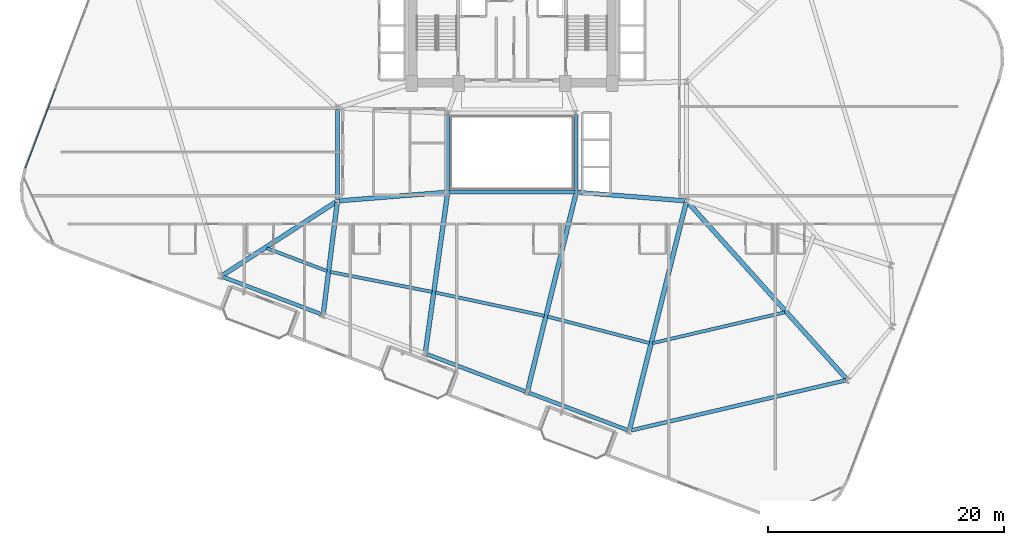
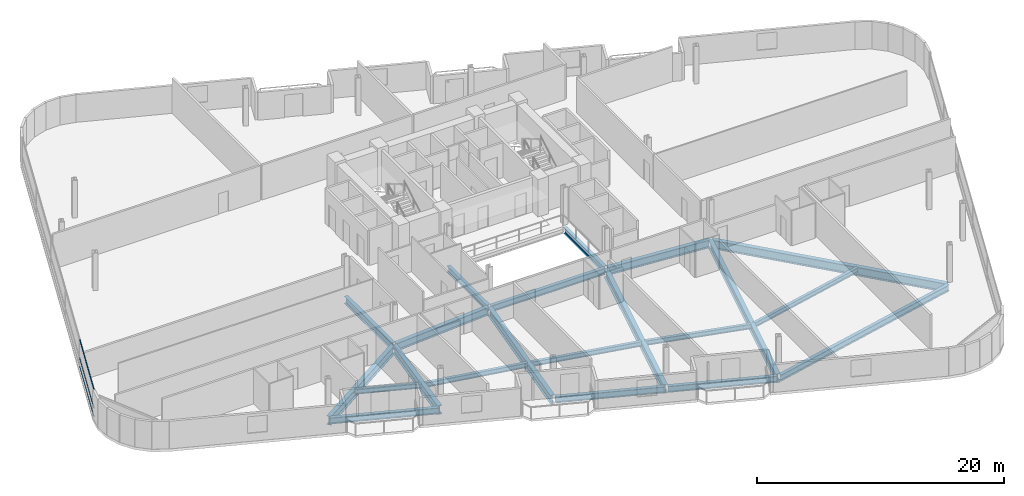
# One storey, part 3 of 25: 21 beams, 3 members, 1 element without a shape of its own.
"""IFC4 building model written with IfcOpenShell, lengths in metres."""

from ifc_helpers import new_model, si_unit, direction, frame, origin, origin_2d, place, context, subcontext, project, spatial, hollow_rectangle, i_section, extrude, material, layer, layer_set, material_profile, profile_set, type_object, element, aggregate, save


model = new_model("IFC4")

# Units and contexts
model_context = context("Model", 3, precision=1e-05, world=origin(), true_north=direction((0.0, 1.0)))
body_context = subcontext(model_context, "Body", "Model", "MODEL_VIEW")
ifc_project = project(units=[si_unit("LENGTHUNIT", "METRE"), si_unit("AREAUNIT", "SQUARE_METRE"), si_unit("VOLUMEUNIT", "CUBIC_METRE"), si_unit("PLANEANGLEUNIT", "RADIAN"), si_unit("MASSUNIT", "GRAM", prefix="KILO")], contexts=[model_context])

# Site, building, storey
site_placement = place(None, origin())
site = spatial("IfcSite", under=ifc_project, at=site_placement, CompositionType="ELEMENT")
building_placement = place(site_placement, origin())
building = spatial("IfcBuilding", under=site, at=building_placement, Name="Varnelok Gate Tower", CompositionType="ELEMENT")
storey_placement = place(building_placement, frame((0.0, 0.0, 76.199951171875)))
storey = spatial("IfcBuildingStorey", under=building, at=storey_placement, Name="L18", CompositionType="ELEMENT", Elevation=76.199951171875)

# Beams
ifc_material_1 = material(Name="Structural Steel ASTM A992 Grade 50", Category="steel")
ifc_material_profile_1 = material_profile(ifc_material_1, i_section(OverallWidth=0.280029296875, OverallDepth=0.462890625, WebThickness=0.0107421875, FlangeThickness=0.017333984375, FilletRadius=0.014892578125, at=origin_2d()), Name="W18X76")
ifc_profile_set_1 = profile_set([ifc_material_profile_1], Name="Structural Steel ASTM A992 Grade 50")
beam_type_1 = type_object("IfcBeamType", Name="BM-JST-W18X76", PredefinedType="JOIST", material=ifc_profile_set_1)
beam_1_placement = place(storey_placement, frame((18.41845703125, 14.79248046875, -0.4814453125), z_axis=(0.935220980755, -0.354064566365, 0.0), x_axis=(0.354064566365, 0.935220980755, 0.0)))
element("IfcBeam", 1, at=beam_1_placement, inside=storey, type_object=beam_type_1, Name="L18 Sector Floor Joist 1", PredefinedType="JOIST", context=body_context, shape_type="SweptSolid", body=[
    extrude(i_section(OverallWidth=0.280029296875, OverallDepth=0.462890625, WebThickness=0.0107421875, FlangeThickness=0.017333984375, FilletRadius=0.014892578125, at=origin_2d()), origin(), (0.0, 0.0, 1.0), 5.454833984375),
])
beam_2_placement = place(storey_placement, frame((23.788330078125, 12.78466796875, -0.4814453125), z_axis=(0.981373341714, -0.192110291692, 0.0), x_axis=(0.192110291692, 0.981373341714, 0.0)))
element("IfcBeam", 2, at=beam_2_placement, inside=storey, type_object=beam_type_1, Name="L18 Sector Floor Joist 2", PredefinedType="JOIST", context=body_context, shape_type="SweptSolid", body=[
    extrude(i_section(OverallWidth=0.280029296875, OverallDepth=0.462890625, WebThickness=0.0107421875, FlangeThickness=0.017333984375, FilletRadius=0.014892578125, at=origin_2d()), origin(), (0.0, 0.0, 1.0), 8.8056640625),
])
beam_3_placement = place(storey_placement, frame((32.704345703125, 11.03662109375, -0.4814453125), z_axis=(0.977938835905, -0.20889143886, 0.0), x_axis=(0.20889143886, 0.977938835905, 0.0)))
element("IfcBeam", 3, at=beam_3_placement, inside=storey, type_object=beam_type_1, Name="L18 Sector Floor Joist 3", PredefinedType="JOIST", context=body_context, shape_type="SweptSolid", body=[
    extrude(i_section(OverallWidth=0.280029296875, OverallDepth=0.462890625, WebThickness=0.0107421875, FlangeThickness=0.017333984375, FilletRadius=0.014892578125, at=origin_2d()), origin(), (0.0, 0.0, 1.0), 9.43994140625),
])
beam_4_placement = place(storey_placement, frame((42.20849609375, 9.000244140625, -0.4814453125), z_axis=(0.967889835008, -0.251374754675, 0.0), x_axis=(0.251374754675, 0.967889835008, 0.0)))
element("IfcBeam", 4, at=beam_4_placement, inside=storey, type_object=beam_type_1, Name="L18 Sector Floor Joist 4", PredefinedType="JOIST", context=body_context, shape_type="SweptSolid", body=[
    extrude(i_section(OverallWidth=0.280029296875, OverallDepth=0.462890625, WebThickness=0.0107421875, FlangeThickness=0.017333984375, FilletRadius=0.014892578125, at=origin_2d()), origin(), (0.0, 0.0, 1.0), 8.932373046875),
])
beam_5_placement = place(storey_placement, frame((51.125732421875, 6.751708984375, -0.4814453125), z_axis=(0.973879585233, 0.227065086412, 0.0), x_axis=(-0.227065086412, 0.973879585233, 0.0)))
element("IfcBeam", 5, at=beam_5_placement, inside=storey, type_object=beam_type_1, Name="L18 Sector Floor Joist 5", PredefinedType="JOIST", context=body_context, shape_type="SweptSolid", body=[
    extrude(i_section(OverallWidth=0.280029296875, OverallDepth=0.462890625, WebThickness=0.0107421875, FlangeThickness=0.017333984375, FilletRadius=0.014892578125, at=origin_2d()), origin(), (0.0, 0.0, 1.0), 11.492919921875),
])
ifc_material_profile_2 = material_profile(ifc_material_1, i_section(OverallWidth=0.35498046875, OverallDepth=0.696044921875, WebThickness=0.015380859375, FlangeThickness=0.02490234375, FilletRadius=0.02001953125, at=origin_2d()), Name="W27X146")
ifc_profile_set_2 = profile_set([ifc_material_profile_2], Name="Structural Steel ASTM A992 Grade 50")
beam_type_2 = type_object("IfcBeamType", Name="BM-PRI-W27X146", PredefinedType="BEAM", material=ifc_profile_set_2)
beam_6_placement = place(storey_placement, frame((24.39990234375, 18.919921875, -0.597900390625), z_axis=(0.0, 1.0, 0.0), x_axis=(-1.0, 0.0, 0.0)))
element("IfcBeam", 6, at=beam_6_placement, inside=storey, type_object=beam_type_2, Name="L18 Core-Atrium Spine Beam 16", PredefinedType="BEAM", context=body_context, shape_type="SweptSolid", body=[
    extrude(i_section(OverallWidth=0.35498046875, OverallDepth=0.696044921875, WebThickness=0.015380859375, FlangeThickness=0.02490234375, FilletRadius=0.02001953125, at=origin_2d()), origin(), (0.0, 0.0, 1.0), 7.64013671875),
])
ifc_material_profile_3 = material_profile(ifc_material_1, i_section(OverallWidth=0.381103515625, OverallDepth=0.77294921875, WebThickness=0.0166015625, FlangeThickness=0.027099609375, FilletRadius=0.02197265625, at=origin_2d()), Name="W30X173")
ifc_profile_set_3 = profile_set([ifc_material_profile_3], Name="Structural Steel ASTM A992 Grade 50")
beam_type_3 = type_object("IfcBeamType", Name="BM-PRI-W30X173", PredefinedType="BEAM", material=ifc_profile_set_3)
for number, where, z_axis, x_axis, name in (
    (7, (24.51953125, 18.8095703125, -0.636474609375), (0.996799206292, 0.07994587128, 0.0), (-0.07994587128, 0.996799206292, 0.0), "L18 Core-Atrium Spine Beam 14"),
    (8, (44.76953125, 19.540283203125, -0.636474609375), (0.996799206292, -0.07994587128, 0.0), (0.07994587128, 0.996799206292, 0.0), "L18 Core-Atrium Spine Beam 18"),
):
    element("IfcBeam", number, at=place(storey_placement, frame(where, z_axis=z_axis, x_axis=x_axis)), inside=storey, type_object=beam_type_3, Name=name, PredefinedType="BEAM", context=body_context, shape_type="SweptSolid", body=[
        extrude(i_section(OverallWidth=0.381103515625, OverallDepth=0.77294921875, WebThickness=0.0166015625, FlangeThickness=0.027099609375, FilletRadius=0.02197265625, at=origin_2d()), origin(), (0.0, 0.0, 1.0), 9.14013671875),
    ])
ifc_material_profile_4 = material_profile(ifc_material_1, i_section(OverallWidth=0.39892578125, OverallDepth=0.85498046875, WebThickness=0.018310546875, FlangeThickness=0.029296875, FilletRadius=0.02392578125, at=origin_2d()), Name="W33X201")
ifc_profile_set_4 = profile_set([ifc_material_profile_4], Name="Structural Steel ASTM A992 Grade 50")
beam_type_4 = type_object("IfcBeamType", Name="BM-PRI-W33X201", PredefinedType="BEAM", material=ifc_profile_set_4)
beam_7_placement = place(storey_placement, frame((24.274169921875, 18.718505859375, -0.677490234375), z_axis=(-0.839398998687, -0.543515704468, 0.0), x_axis=(0.543515704468, -0.839398998687, 0.0)))
element("IfcBeam", 9, at=beam_7_placement, inside=storey, type_object=beam_type_4, Name="L18 Radial Floor Girder 1", PredefinedType="BEAM", context=body_context, shape_type="SweptSolid", body=[
    extrude(i_section(OverallWidth=0.39892578125, OverallDepth=0.85498046875, WebThickness=0.018310546875, FlangeThickness=0.029296875, FilletRadius=0.02392578125, at=origin_2d()), origin(), (0.0, 0.0, 1.0), 11.4453125),
])
beam_8_placement = place(storey_placement, frame((24.38134765625, 18.651123046875, -0.677490234375), z_axis=(-0.124114361033, -0.992267920163, 0.0), x_axis=(0.992267920163, -0.124114361033, 0.0)))
element("IfcBeam", 10, at=beam_8_placement, inside=storey, type_object=beam_type_4, Name="L18 Radial Floor Girder 2", PredefinedType="BEAM", context=body_context, shape_type="SweptSolid", body=[
    extrude(i_section(OverallWidth=0.39892578125, OverallDepth=0.85498046875, WebThickness=0.018310546875, FlangeThickness=0.029296875, FilletRadius=0.02392578125, at=origin_2d()), origin(), (0.0, 0.0, 1.0), 9.43408203125),
])
beam_9_placement = place(storey_placement, frame((33.729248046875, 19.4013671875, -0.677490234375), z_axis=(-0.138054699139, -0.990424605937, 0.0), x_axis=(0.990424605937, -0.138054699139, 0.0)))
element("IfcBeam", 11, at=beam_9_placement, inside=storey, type_object=beam_type_4, Name="L18 Radial Floor Girder 3", PredefinedType="BEAM", context=body_context, shape_type="SweptSolid", body=[
    extrude(i_section(OverallWidth=0.39892578125, OverallDepth=0.85498046875, WebThickness=0.018310546875, FlangeThickness=0.029296875, FilletRadius=0.02392578125, at=origin_2d()), origin(), (0.0, 0.0, 1.0), 13.51611328125),
])
beam_10_placement = place(storey_placement, frame((44.6142578125, 19.404296875, -0.677490234375), z_axis=(-0.238054163128, -0.971251880522, 0.0), x_axis=(0.971251880522, -0.238054163128, 0.0)))
element("IfcBeam", 12, at=beam_10_placement, inside=storey, type_object=beam_type_4, Name="L18 Radial Floor Girder 4", PredefinedType="BEAM", context=body_context, shape_type="SweptSolid", body=[
    extrude(i_section(OverallWidth=0.39892578125, OverallDepth=0.85498046875, WebThickness=0.018310546875, FlangeThickness=0.029296875, FilletRadius=0.02392578125, at=origin_2d()), origin(), (0.0, 0.0, 1.0), 17.160888671875),
])
beam_11_placement = place(storey_placement, frame((53.963623046875, 18.654541015625, -0.677490234375), z_axis=(-0.241818229902, -0.970321567156, 0.0), x_axis=(0.970321567156, -0.241818229902, 0.0)))
element("IfcBeam", 13, at=beam_11_placement, inside=storey, type_object=beam_type_4, Name="L18 Radial Floor Girder 5", PredefinedType="BEAM", context=body_context, shape_type="SweptSolid", body=[
    extrude(i_section(OverallWidth=0.39892578125, OverallDepth=0.85498046875, WebThickness=0.018310546875, FlangeThickness=0.029296875, FilletRadius=0.02392578125, at=origin_2d()), origin(), (0.0, 0.0, 1.0), 19.7802734375),
])
beam_12_placement = place(storey_placement, frame((54.100341796875, 18.6884765625, -0.677490234375), z_axis=(0.668462619128, -0.743745740713, 0.0), x_axis=(0.743745740713, 0.668462619128, 0.0)))
element("IfcBeam", 14, at=beam_12_placement, inside=storey, type_object=beam_type_4, Name="L18 Radial Floor Girder 6", PredefinedType="BEAM", context=body_context, shape_type="SweptSolid", body=[
    extrude(i_section(OverallWidth=0.39892578125, OverallDepth=0.85498046875, WebThickness=0.018310546875, FlangeThickness=0.029296875, FilletRadius=0.02392578125, at=origin_2d()), origin(), (0.0, 0.0, 1.0), 20.099853515625),
])
ifc_material_profile_5 = material_profile(ifc_material_1, i_section(OverallWidth=0.323974609375, OverallDepth=0.611083984375, WebThickness=0.0126953125, FlangeThickness=0.01904296875, FilletRadius=0.01806640625, at=origin_2d()), Name="W24X104")
ifc_profile_set_5 = profile_set([ifc_material_profile_5], Name="Structural Steel ASTM A992 Grade 50")
beam_type_5 = type_object("IfcBeamType", Name="BM-SPN-W24X104", PredefinedType="SPANDREL", material=ifc_profile_set_5)
beam_13_placement = place(storey_placement, frame((33.8701171875, 19.550048828125, -0.555419921875), z_axis=(1.0, 0.0, 0.0), x_axis=(0.0, 1.0, 0.0)))
element("IfcBeam", 15, at=beam_13_placement, inside=storey, type_object=beam_type_5, Name="L18 Core-Atrium Spine Beam 8", PredefinedType="SPANDREL", context=body_context, shape_type="SweptSolid", body=[
    extrude(i_section(OverallWidth=0.323974609375, OverallDepth=0.611083984375, WebThickness=0.0126953125, FlangeThickness=0.01904296875, FilletRadius=0.01806640625, at=origin_2d()), origin(), (0.0, 0.0, 1.0), 10.659912109375),
])
for number, where, z_axis, x_axis, name in (
    (16, (33.75, 19.669921875, -0.555419921875), (0.0, 1.0, 0.0), (-1.0, 0.0, 0.0), "L18 Core-Atrium Spine Beam 10"),
    (17, (44.64990234375, 19.669921875, -0.555419921875), (0.0, 1.0, 0.0), (-1.0, 0.0, 0.0), "L18 Core-Atrium Spine Beam 11"),
):
    element("IfcBeam", number, at=place(storey_placement, frame(where, z_axis=z_axis, x_axis=x_axis)), inside=storey, type_object=beam_type_5, Name=name, PredefinedType="SPANDREL", context=body_context, shape_type="SweptSolid", body=[
        extrude(i_section(OverallWidth=0.323974609375, OverallDepth=0.611083984375, WebThickness=0.0126953125, FlangeThickness=0.01904296875, FilletRadius=0.01806640625, at=origin_2d()), origin(), (0.0, 0.0, 1.0), 6.4599609375),
    ])
for number, where, z_axis, x_axis, name in (
    (18, (14.681396484375, 12.363037109375, -0.555419921875), (0.935225969099, -0.354051389947, 0.0), (0.354051389947, 0.935225969099, 0.0), "L18 Perimeter Spandrel Beam 1"),
    (19, (31.98291015625, 5.81298828125, -0.555419921875), (0.935216936382, -0.354075248928, 0.0), (0.354075248928, 0.935216936382, 0.0), "L18 Perimeter Spandrel Beam 3"),
    (20, (40.6337890625, 2.537841796875, -0.555419921875), (0.935216936382, -0.354075248928, 0.0), (0.354075248928, 0.935216936382, 0.0), "L18 Perimeter Spandrel Beam 4"),
):
    element("IfcBeam", number, at=place(storey_placement, frame(where, z_axis=z_axis, x_axis=x_axis)), inside=storey, type_object=beam_type_5, Name=name, PredefinedType="SPANDREL", context=body_context, shape_type="SweptSolid", body=[
        extrude(i_section(OverallWidth=0.323974609375, OverallDepth=0.611083984375, WebThickness=0.0126953125, FlangeThickness=0.01904296875, FilletRadius=0.01806640625, at=origin_2d()), origin(), (0.0, 0.0, 1.0), 8.949951171875),
    ])
beam_14_placement = place(storey_placement, frame((49.290283203125, -0.64990234375, -0.555419921875), z_axis=(0.973880317885, 0.227061944052, 0.0), x_axis=(-0.227061944052, 0.973880317885, 0.0)))
element("IfcBeam", 21, at=beam_14_placement, inside=storey, type_object=beam_type_5, Name="L18 Perimeter Spandrel Beam 5", PredefinedType="SPANDREL", context=body_context, shape_type="SweptSolid", body=[
    extrude(i_section(OverallWidth=0.323974609375, OverallDepth=0.611083984375, WebThickness=0.0126953125, FlangeThickness=0.01904296875, FilletRadius=0.01806640625, at=origin_2d()), origin(), (0.0, 0.0, 1.0), 18.688232421875),
])

# Curtain wall, members
ifc_material_2 = material(Name="Anodized Aluminum Alloy 6063-T6", Category="aluminium")
ifc_layer = layer(ifc_material_2, 0.179931640625)
ifc_layer_set = layer_set([ifc_layer], Name="Anodized Aluminum Alloy 6063-T6")
curtain_wall_type = type_object("IfcCurtainWallType", Name="CW3-HOTEL-VISION", PredefinedType="USERDEFINED", material=ifc_layer_set)
curtain_wall_placement = place(storey_placement, origin())
curtain_wall = element("IfcCurtainWall", 22, at=curtain_wall_placement, inside=storey, type_object=curtain_wall_type, Name="L18 West End Vision Curtain Wall", ObjectType="UNITISED CURTAIN WALL", PredefinedType="USERDEFINED")
ifc_material_profile_6 = material_profile(ifc_material_2, hollow_rectangle(XDim=0.06494140625, YDim=0.159912109375, WallThickness=0.00390625, at=origin_2d()), Name="ALU160X65X4")
ifc_profile_set_6 = profile_set([ifc_material_profile_6], Name="Anodized Aluminum Alloy 6063-T6")
member_type = type_object("IfcMemberType", Name="CW-TRAN-160", PredefinedType="USERDEFINED", material=ifc_profile_set_6)
member_1_placement = place(storey_placement, frame((-2.031982421875, 21.625732421875, 0.032470703125), z_axis=(0.35408846525, 0.935211932546, 0.0), x_axis=(-0.935211932546, 0.35408846525, 0.0)))
member_1 = element("IfcMember", 23, at=member_1_placement, type_object=member_type, Name="CW3 transom 1.1", ObjectType="TRANSOM", PredefinedType="USERDEFINED", context=body_context, shape_type="SweptSolid", body=[
    extrude(hollow_rectangle(XDim=0.06494140625, YDim=0.159912109375, WallThickness=0.00390625, at=origin_2d()), origin(), (0.0, 0.0, 1.0), 7.142333984375),
])
member_2_placement = place(storey_placement, frame((-2.031982421875, 21.625732421875, 0.900146484375), z_axis=(0.35408846525, 0.935211932546, 0.0), x_axis=(-0.935211932546, 0.35408846525, 0.0)))
member_2 = element("IfcMember", 24, at=member_2_placement, type_object=member_type, Name="CW3 transom 1.2", ObjectType="TRANSOM", PredefinedType="USERDEFINED", context=body_context, shape_type="SweptSolid", body=[
    extrude(hollow_rectangle(XDim=0.06494140625, YDim=0.159912109375, WallThickness=0.00390625, at=origin_2d()), origin(), (0.0, 0.0, 1.0), 7.142333984375),
])
member_3_placement = place(storey_placement, frame((-2.031982421875, 21.625732421875, 2.697509765625), z_axis=(0.35408846525, 0.935211932546, 0.0), x_axis=(-0.935211932546, 0.35408846525, 0.0)))
member_3 = element("IfcMember", 25, at=member_3_placement, type_object=member_type, Name="CW3 transom 1.3", ObjectType="TRANSOM", PredefinedType="USERDEFINED", context=body_context, shape_type="SweptSolid", body=[
    extrude(hollow_rectangle(XDim=0.06494140625, YDim=0.159912109375, WallThickness=0.00390625, at=origin_2d()), origin(), (0.0, 0.0, 1.0), 7.142333984375),
])
aggregate(curtain_wall, [member_1, member_2, member_3])

save(model, "model.ifc")
